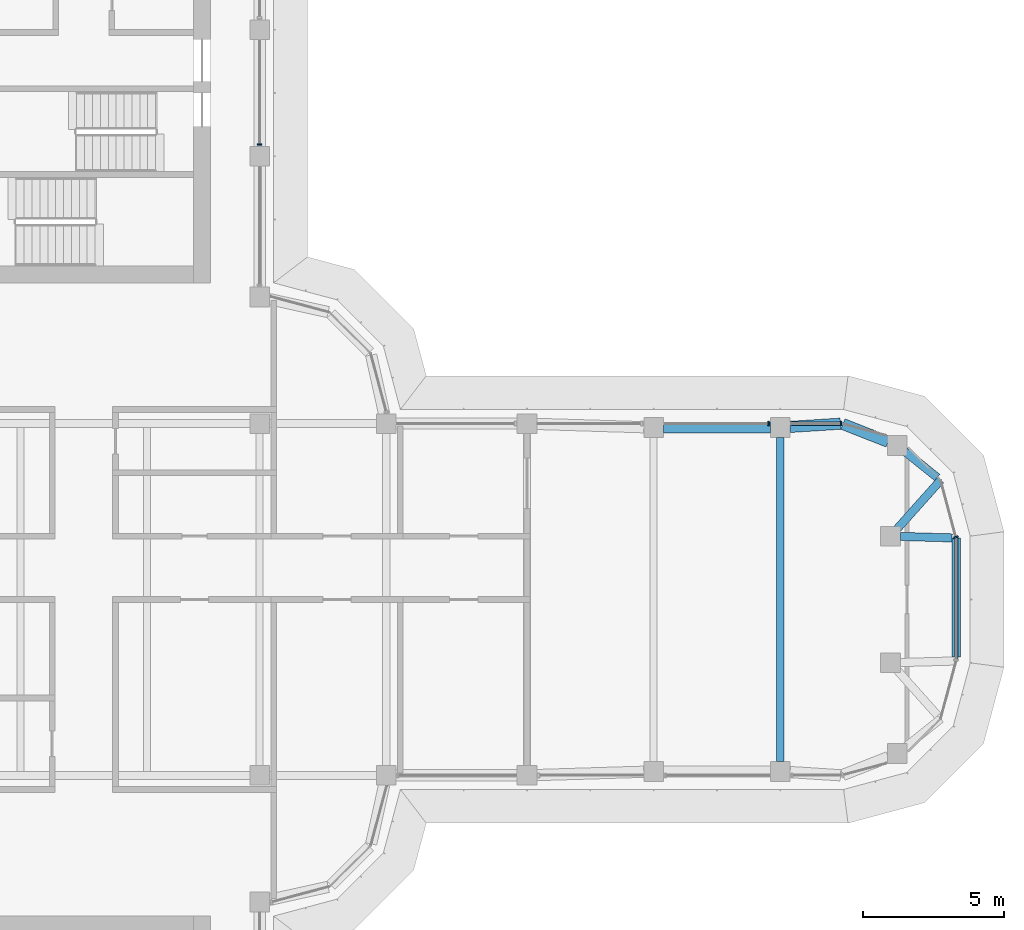
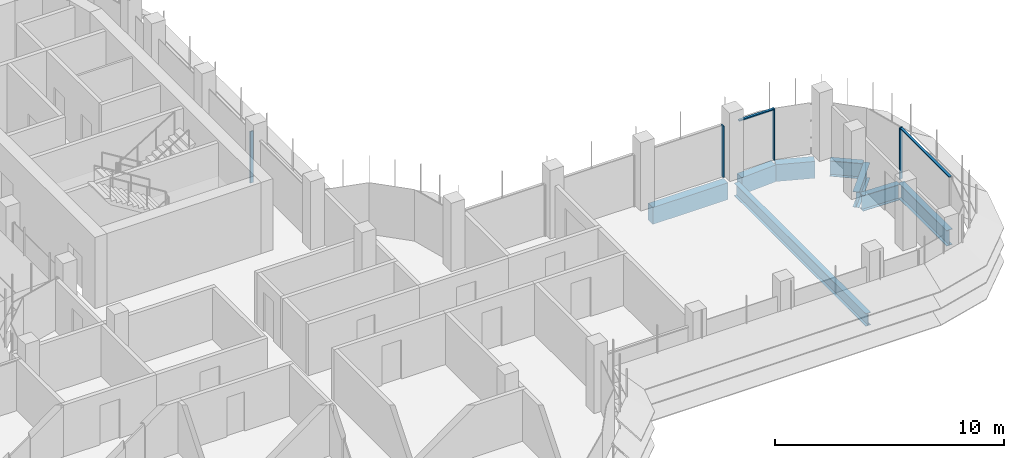
# One storey, part 9 of 18: 8 beams, 6 members, 4 elements without a shape of their own.
"""IFC4 building model written with IfcOpenShell, lengths in metres."""

import ifcopenshell
import ifcopenshell.guid

model = None  # the IFC model being written
_history = None  # IfcOwnerHistory: only IFC2X3 demands one
_inside = {}  # id of a spatial element -> (the spatial element, [elements in it])
_under = {}  # id of a project, library or spatial element -> (it, [spatial elements below it])
_declared = {}  # id of a project -> (the project, [libraries it declares])
_typed = {}  # id of a type object -> (the type object, [elements of that type])
_made_of = {}  # id of a material, layer set ... -> (it, [elements and type objects made of it])


def new_model(schema):
    """Start an empty IFC model of exactly this schema.

    Asked for "IFC4X3", IfcOpenShell would pick the latest addendum, in which some entities
    have other attributes; the version numbers below select the first issue.
    IFC2X3 requires an IfcOwnerHistory on every rooted entity: one is made here for all.
    """
    global model, _history
    if schema == "IFC4X3":
        model = ifcopenshell.file(schema_version=(4, 3, 0, 0))
    else:
        model = ifcopenshell.file(schema=schema)
    _inside.clear()
    _under.clear()
    _declared.clear()
    _typed.clear()
    _made_of.clear()
    _history = None
    if model.schema == "IFC2X3":
        org = make("IfcOrganization", Name="unknown")
        user = make(
            "IfcPersonAndOrganization",
            ThePerson=make("IfcPerson", FamilyName="unknown"),
            TheOrganization=org,
        )
        app = make(
            "IfcApplication",
            ApplicationDeveloper=org,
            Version="unknown",
            ApplicationFullName="unknown",
            ApplicationIdentifier="unknown",
        )
        _history = make(
            "IfcOwnerHistory",
            OwningUser=user,
            OwningApplication=app,
            ChangeAction="ADDED",
            CreationDate=0,
        )
    return model


def make(cls, **values):
    """One entity of the class cls with the attributes given. An attribute that is None is left unset."""
    return model.create_entity(
        cls, **{name: value for name, value in values.items() if value is not None}
    )


def rooted(cls, **values):
    """An entity with a GlobalId (a new one), such as an element, a storey or a relation."""
    return make(cls, GlobalId=ifcopenshell.guid.new(), OwnerHistory=_history, **values)


def si_unit(unit_type, name, prefix=None):
    """IfcSIUnit, for example si_unit("LENGTHUNIT", "METRE", prefix="MILLI")."""
    return make("IfcSIUnit", UnitType=unit_type, Prefix=prefix, Name=name)


def assignment(units):
    """IfcUnitAssignment: the units of a project."""
    return None if units is None else make("IfcUnitAssignment", Units=units)


def point(xyz):
    """IfcCartesianPoint."""
    return None if xyz is None else make("IfcCartesianPoint", Coordinates=xyz)


def direction(xyz):
    """IfcDirection."""
    return None if xyz is None else make("IfcDirection", DirectionRatios=xyz)


def frame(location, z_axis=None, x_axis=None):
    """IfcAxis2Placement3D, a coordinate frame: its origin and axes. An axis left out is left unset."""
    return make(
        "IfcAxis2Placement3D",
        Location=point(location),
        Axis=direction(z_axis),
        RefDirection=direction(x_axis),
    )


def frame_2d(location, x_axis=None):
    """IfcAxis2Placement2D, a coordinate frame in the plane: its origin and x axis."""
    return make(
        "IfcAxis2Placement2D", Location=point(location), RefDirection=direction(x_axis)
    )


def origin():
    """The frame at (0, 0, 0) with its axes left unset."""
    return frame((0.0, 0.0, 0.0))


def origin_2d():
    """The frame at (0, 0) in the plane with its x axis left unset."""
    return frame_2d((0.0, 0.0))


def place(relative_to, where):
    """IfcLocalPlacement: puts the frame where relative to a parent placement (None: the world)."""
    return make(
        "IfcLocalPlacement", PlacementRelTo=relative_to, RelativePlacement=where
    )


def context(
    kind, dimensions, precision=None, world=None, true_north=None, identifier=None
):
    """IfcGeometricRepresentationContext, for example the 3D "Model" context."""
    return make(
        "IfcGeometricRepresentationContext",
        ContextIdentifier=identifier,
        ContextType=kind,
        CoordinateSpaceDimension=dimensions,
        Precision=precision,
        WorldCoordinateSystem=world,
        TrueNorth=true_north,
    )


def subcontext(parent, identifier, kind, view, scale=None):
    """IfcGeometricRepresentationSubContext, for example "Body" below "Model"."""
    return make(
        "IfcGeometricRepresentationSubContext",
        ContextIdentifier=identifier,
        ContextType=kind,
        ParentContext=parent,
        TargetScale=scale,
        TargetView=view,
    )


def project(units=None, contexts=None):
    """IfcProject with its units and contexts."""
    return rooted(
        "IfcProject",
        Name="project",
        RepresentationContexts=contexts,
        UnitsInContext=assignment(units),
    )


def spatial(cls, under=None, at=None, **own):
    """A site, building, storey or space (cls), placed at a placement, below another one or the project."""
    s = rooted(cls, ObjectPlacement=at, **own)
    if under is not None:
        _under.setdefault(under.id(), (under, []))[1].append(s)
    return s


def polyline(points):
    """IfcPolyline through the points."""
    return make("IfcPolyline", Points=[point(p) for p in points])


def profile(cls, at=None, kind="AREA", **sizes):
    """A parametric profile (cls). Its sizes go by their IFC names, for example OverallWidth=200.0."""
    return make(cls, ProfileType=kind, Position=at, **sizes)


def rectangle(**sizes):
    """IfcRectangleProfileDef."""
    return profile("IfcRectangleProfileDef", **sizes)


def i_section(**sizes):
    """IfcIShapeProfileDef."""
    return profile("IfcIShapeProfileDef", **sizes)


def outline(outer, holes=None, kind="AREA"):
    """IfcArbitraryClosedProfileDef: a profile drawn as a closed curve; with holes, ...WithVoids."""
    if holes is None:
        return make("IfcArbitraryClosedProfileDef", ProfileType=kind, OuterCurve=outer)
    return make(
        "IfcArbitraryProfileDefWithVoids",
        ProfileType=kind,
        OuterCurve=outer,
        InnerCurves=holes,
    )


def extrude(swept, where, along, depth):
    """IfcExtrudedAreaSolid: the profile swept, set in the frame where, extruded along a direction by depth."""
    return make(
        "IfcExtrudedAreaSolid",
        SweptArea=swept,
        Position=where,
        ExtrudedDirection=direction(along),
        Depth=depth,
    )


def shape(context_of_items, identifier, shape_type, items):
    """IfcShapeRepresentation: the items that make up one representation, for example the "Body"."""
    return make(
        "IfcShapeRepresentation",
        ContextOfItems=context_of_items,
        RepresentationIdentifier=identifier,
        RepresentationType=shape_type,
        Items=items,
    )


def source(mapping_origin, context_of_items, identifier, shape_type, items):
    """IfcRepresentationMap: a shape defined once, which mapped items show again and again."""
    return make(
        "IfcRepresentationMap",
        MappingOrigin=mapping_origin,
        MappedRepresentation=shape(context_of_items, identifier, shape_type, items),
    )


def transform(
    local_origin,
    x_axis=None,
    y_axis=None,
    z_axis=None,
    scale=None,
    scale2=None,
    scale3=None,
    uniform=True,
):
    """IfcCartesianTransformationOperator3D, or its non-uniform kind. x_axis, y_axis, z_axis: its Axis1, 2, 3."""
    if uniform:
        return make(
            "IfcCartesianTransformationOperator3D",
            Axis1=direction(x_axis),
            Axis2=direction(y_axis),
            LocalOrigin=point(local_origin),
            Scale=scale,
            Axis3=direction(z_axis),
        )
    return make(
        "IfcCartesianTransformationOperator3DnonUniform",
        Axis1=direction(x_axis),
        Axis2=direction(y_axis),
        LocalOrigin=point(local_origin),
        Scale=scale,
        Axis3=direction(z_axis),
        Scale2=scale2,
        Scale3=scale3,
    )


def mapped(mapping_source, mapping_target):
    """IfcMappedItem: shows the shape of a source again, moved by a transform."""
    return make(
        "IfcMappedItem", MappingSource=mapping_source, MappingTarget=mapping_target
    )


def material(Name=None, Category=None):
    """IfcMaterial."""
    return make("IfcMaterial", Name=Name, Category=Category)


def material_profile(
    of_material, cross_section, Name=None, Category=None, Priority=None
):
    """IfcMaterialProfile: a cross section and its material."""
    return make(
        "IfcMaterialProfile",
        Name=Name,
        Material=of_material,
        Profile=cross_section,
        Priority=Priority,
        Category=Category,
    )


def profile_set(profiles, Name=None, composite=None):
    """IfcMaterialProfileSet."""
    return make(
        "IfcMaterialProfileSet",
        Name=Name,
        MaterialProfiles=profiles,
        CompositeProfile=composite,
    )


def made_of(thing, what):
    """Note that an element or type object is made of a material, layer set ...; save() writes the relation."""
    if what is not None:
        _made_of.setdefault(what.id(), (what, []))[1].append(thing)
    return thing


def type_object(cls, material=None, **own):
    """A type object (cls), such as IfcWallType, which elements share."""
    return made_of(rooted(cls, **own), material)


def element(
    cls,
    number,
    at=None,
    inside=None,
    cuts=None,
    type_object=None,
    material=None,
    context=None,
    identifier="Body",
    shape_type=None,
    held_by="IfcProductDefinitionShape",
    body=None,
    shapes=None,
    **own,
):
    """One element of the class cls, such as IfcWall. Its Tag is "e" and its number.

    at: its placement. inside: the storey or other place that contains it. cuts: it is an
    opening in that element (IfcRelVoidsElement). A single representation is given by context,
    identifier, shape_type and body (its items); several are given by shapes. held_by: the class
    of the entity that holds the representations. save() writes the other relations.
    """
    e = rooted(cls, Tag="e%d" % number, ObjectPlacement=at, **own)
    if body is not None:
        shapes = [shape(context, identifier, shape_type, body)]
    if shapes is not None:
        e.Representation = make(held_by, Representations=shapes)
    if inside is not None:
        _inside.setdefault(inside.id(), (inside, []))[1].append(e)
    if cuts is not None:
        rooted(
            "IfcRelVoidsElement", RelatingBuildingElement=cuts, RelatedOpeningElement=e
        )
    if type_object is not None:
        _typed.setdefault(type_object.id(), (type_object, []))[1].append(e)
    return made_of(e, material)


def aggregate(whole, parts):
    """IfcRelAggregates: a whole, such as a stair, and the parts it consists of."""
    return rooted("IfcRelAggregates", RelatingObject=whole, RelatedObjects=parts)


def save(model, path):
    """Write the relations noted so far, then the file.

    IfcRelAggregates (storeys below a building ...), IfcRelContainedInSpatialStructure (elements
    in a storey), IfcRelDefinesByType, IfcRelAssociatesMaterial and IfcRelDeclares: one each for
    every whole, place, type object, material and project.
    """
    for whole, parts in _under.values():
        aggregate(whole, parts)
    for where, things in _inside.values():
        rooted(
            "IfcRelContainedInSpatialStructure",
            RelatedElements=things,
            RelatingStructure=where,
        )
    for kind, things in _typed.values():
        rooted("IfcRelDefinesByType", RelatedObjects=things, RelatingType=kind)
    for what, things in _made_of.values():
        rooted("IfcRelAssociatesMaterial", RelatedObjects=things, RelatingMaterial=what)
    for by, libraries in _declared.values():
        rooted("IfcRelDeclares", RelatingContext=by, RelatedDefinitions=libraries)
    model.write(path)


model = new_model("IFC4")

# Units and contexts
model_context = context("Model", 3, precision=1e-05, world=origin(), true_north=direction((0.0, 1.0)))
body_context = subcontext(model_context, "Body", "Model", "MODEL_VIEW")
ifc_project = project(units=[si_unit("LENGTHUNIT", "METRE"), si_unit("AREAUNIT", "SQUARE_METRE"), si_unit("VOLUMEUNIT", "CUBIC_METRE"), si_unit("PLANEANGLEUNIT", "RADIAN"), si_unit("MASSUNIT", "GRAM", prefix="KILO")], contexts=[model_context])

# Site, building, storey
site_placement = place(None, origin())
site = spatial("IfcSite", under=ifc_project, at=site_placement, CompositionType="ELEMENT")
building_placement = place(site_placement, origin())
building = spatial("IfcBuilding", under=site, at=building_placement, Name="Zarbagh Exchange Tower", CompositionType="ELEMENT")
storey_placement = place(building_placement, frame((0.0, 0.0, 214.39990234375)))
storey = spatial("IfcBuildingStorey", under=building, at=storey_placement, Name="L52", CompositionType="ELEMENT", Elevation=214.39990234375)

# Beams
ifc_material_1 = material(Name="Steel ASTM A992 Gr 50", Category="steel")
ifc_material_profile_1 = material_profile(ifc_material_1, i_section(OverallWidth=0.25390625, OverallDepth=0.67822265625, WebThickness=0.01171875, FlangeThickness=0.016357421875, at=origin_2d()), Name="W27X84")
ifc_profile_set_1 = profile_set([ifc_material_profile_1], Name="Steel ASTM A992 Gr 50")
beam_type_1 = type_object("IfcBeamType", Name="Floor beam W27X84", PredefinedType="BEAM", material=ifc_profile_set_1)
beam_1_placement = place(storey_placement, frame((24.75, -5.760009765625, -0.489013671875), z_axis=(0.0, 1.0, 0.0), x_axis=(-1.0, 0.0, 0.0)))
element("IfcBeam", 1, at=beam_1_placement, inside=storey, type_object=beam_type_1, Name="Steel floor beam", PredefinedType="BEAM", context=body_context, shape_type="SweptSolid", body=[
    extrude(i_section(OverallWidth=0.25390625, OverallDepth=0.67822265625, WebThickness=0.01171875, FlangeThickness=0.016357421875, at=origin_2d()), origin(), (0.0, 0.0, 1.0), 11.52001953125),
])
ifc_material_profile_2 = material_profile(ifc_material_1, i_section(OverallWidth=0.2919921875, OverallDepth=0.835693359375, WebThickness=0.013916015625, FlangeThickness=0.018798828125, at=origin_2d()), Name="W33X118")
ifc_profile_set_2 = profile_set([ifc_material_profile_2], Name="Steel ASTM A992 Gr 50")
beam_type_2 = type_object("IfcBeamType", Name="Floor girder W33X118", PredefinedType="BEAM", material=ifc_profile_set_2)
beam_2_placement = place(storey_placement, frame((29.18115234375, 5.256103515625, -0.567626953125), z_axis=(0.780625690962, -0.624998824487, 0.0), x_axis=(0.624998824487, 0.780625690962, 0.0)))
element("IfcBeam", 2, at=beam_2_placement, inside=storey, type_object=beam_type_2, Name="Steel girder", PredefinedType="BEAM", context=body_context, shape_type="SweptSolid", body=[
    extrude(i_section(OverallWidth=0.2919921875, OverallDepth=0.835693359375, WebThickness=0.013916015625, FlangeThickness=0.018798828125, at=origin_2d()), origin(), (0.0, 0.0, 1.0), 1.469970703125),
])
beam_3_placement = place(storey_placement, frame((30.44873046875, 4.2412109375, -0.567626953125), z_axis=(-0.66615169279, -0.745816279115, 0.0), x_axis=(0.745816279115, -0.66615169279, 0.0)))
element("IfcBeam", 3, at=beam_3_placement, inside=storey, type_object=beam_type_2, Name="Steel girder", PredefinedType="BEAM", context=body_context, shape_type="SweptSolid", body=[
    extrude(i_section(OverallWidth=0.2919921875, OverallDepth=0.835693359375, WebThickness=0.013916015625, FlangeThickness=0.018798828125, at=origin_2d()), origin(), (0.0, 0.0, 1.0), 2.31982421875),
])
beam_4_placement = place(storey_placement, frame((29.02001953125, 2.239990234375, -0.567626953125), z_axis=(0.999603805015, -0.028146633904, 0.0), x_axis=(0.028146633904, 0.999603805015, 0.0)))
element("IfcBeam", 4, at=beam_4_placement, inside=storey, type_object=beam_type_2, Name="Steel girder", PredefinedType="BEAM", context=body_context, shape_type="SweptSolid", body=[
    extrude(i_section(OverallWidth=0.2919921875, OverallDepth=0.835693359375, WebThickness=0.013916015625, FlangeThickness=0.018798828125, at=origin_2d()), origin(), (0.0, 0.0, 1.0), 1.8388671875),
])
beam_5_placement = place(storey_placement, frame((31.0, 2.18408203125, -0.567626953125), z_axis=(0.0, -1.0, 0.0), x_axis=(1.0, 0.0, 0.0)))
element("IfcBeam", 5, at=beam_5_placement, inside=storey, type_object=beam_type_2, Name="Steel girder", PredefinedType="BEAM", context=body_context, shape_type="SweptSolid", body=[
    extrude(i_section(OverallWidth=0.2919921875, OverallDepth=0.835693359375, WebThickness=0.013916015625, FlangeThickness=0.018798828125, at=origin_2d()), origin(), (0.0, 0.0, 1.0), 4.226318359375),
])
ifc_material_2 = material(Name="Concrete C50/60", Category="concrete")
ifc_material_profile_3 = material_profile(ifc_material_2, rectangle(XDim=0.39990234375, YDim=0.89990234375, at=origin_2d()), Name="RC spandrel beam 400 x 900 C50/60")
ifc_profile_set_3 = profile_set([ifc_material_profile_3], Name="Concrete C50/60")
beam_type_3 = type_object("IfcBeamType", Name="RC spandrel beam 400 x 900 C50/60", PredefinedType="SPANDREL", material=ifc_profile_set_3)
beam_6_placement = place(storey_placement, frame((20.60009765625, 6.110107421875, -0.599853515625), z_axis=(1.0, 0.0, 0.0), x_axis=(0.0, 1.0, 0.0)))
element("IfcBeam", 6, at=beam_6_placement, inside=storey, type_object=beam_type_3, Name="RC spandrel beam", PredefinedType="SPANDREL", context=body_context, shape_type="SweptSolid", body=[
    extrude(rectangle(XDim=0.39990234375, YDim=0.89990234375, at=origin_2d()), origin(), (0.0, 0.0, 1.0), 3.7998046875),
])
beam_7_placement = place(storey_placement, frame((25.099365234375, 6.13232421875, -0.599853515625), z_axis=(0.997943601797, 0.064098109429, 0.0), x_axis=(-0.064098109429, 0.997943601797, 0.0)))
element("IfcBeam", 7, at=beam_7_placement, inside=storey, type_object=beam_type_3, Name="RC spandrel beam", PredefinedType="SPANDREL", context=body_context, shape_type="SweptSolid", body=[
    extrude(rectangle(XDim=0.39990234375, YDim=0.89990234375, at=origin_2d()), origin(), (0.0, 0.0, 1.0), 1.7939453125),
])
beam_8_placement = place(storey_placement, frame((26.9755859375, 6.233642578125, -0.599853515625), z_axis=(0.930818525178, -0.365481700207, 0.0), x_axis=(0.365481700207, 0.930818525178, 0.0)))
element("IfcBeam", 8, at=beam_8_placement, inside=storey, type_object=beam_type_3, Name="RC spandrel beam", PredefinedType="SPANDREL", context=body_context, shape_type="SweptSolid", body=[
    extrude(rectangle(XDim=0.39990234375, YDim=0.89990234375, at=origin_2d()), origin(), (0.0, 0.0, 1.0), 1.72607421875),
])

# Curtain wall, member
ifc_material_3 = material(Name="Anodised aluminium frame and glazing", Category="aluminium")
curtain_wall_type = type_object("IfcCurtainWallType", Name="CWB Ribbon glazing, upper zones", PredefinedType="NOTDEFINED", material=ifc_material_3)
curtain_wall_1_placement = place(storey_placement, origin())
curtain_wall_1 = element("IfcCurtainWall", 9, at=curtain_wall_1_placement, inside=storey, type_object=curtain_wall_type, Name="CWB13 curtain wall", PredefinedType="NOTDEFINED")
ifc_material_4 = material(Name="Anodised aluminium frame", Category="aluminium")
member_type_1 = type_object("IfcMemberType", Name="MUB Mullion, anodised aluminium frame", PredefinedType="MULLION", material=ifc_material_4)
shared_shape_1 = source(origin(), body_context, "Body", "SweptSolid", [
    extrude(outline(polyline([(0.0, -0.080078125), (0.06005859375, -0.080078125), (0.06005859375, 0.080078125), (0.0, 0.080078125), (0.0, -0.080078125)])), origin(), (0.0, 0.0, 1.0), 2.75),
])
placement = place(storey_placement, origin())
member_1 = element("IfcMember", 10, at=placement, type_object=member_type_1, Name="CWB13 mullion 1.1", PredefinedType="MULLION", context=body_context, shape_type="MappedRepresentation", body=[
    mapped(shared_shape_1, transform((31.0, 2.18408203125, 0.0), x_axis=(-0.258824779902, 0.965924289636, 0.0), y_axis=(-0.965924289636, -0.258824779902, 0.0), z_axis=(0.0, 0.0, 1.0))),
])
aggregate(curtain_wall_1, [member_1])

# Curtain wall, members
curtain_wall_2_placement = place(storey_placement, origin())
curtain_wall_2 = element("IfcCurtainWall", 11, at=curtain_wall_2_placement, inside=storey, type_object=curtain_wall_type, Name="CWB16 curtain wall", PredefinedType="NOTDEFINED")
member_2 = element("IfcMember", 12, at=placement, type_object=member_type_1, Name="CWB16 mullion 1.1", PredefinedType="MULLION", context=body_context, shape_type="MappedRepresentation", body=[
    mapped(shared_shape_1, transform((26.93408203125, 6.25, 0.0), x_axis=(-1.0, 0.0, 0.0), y_axis=(0.0, -1.0, 0.0), z_axis=(0.0, 0.0, 1.0))),
])
member_3 = element("IfcMember", 13, at=placement, type_object=member_type_1, Name="CWB16 mullion 2.1", PredefinedType="MULLION", context=body_context, shape_type="MappedRepresentation", body=[
    mapped(shared_shape_1, transform((24.35986328125, 6.25, 0.0), x_axis=(-1.0, 0.0, 0.0), y_axis=(0.0, -1.0, 0.0), z_axis=(0.0, 0.0, 1.0))),
])

# Curtain wall, member
curtain_wall_3_placement = place(storey_placement, origin())
curtain_wall_3 = element("IfcCurtainWall", 14, at=curtain_wall_3_placement, inside=storey, type_object=curtain_wall_type, Name="CWB20 curtain wall", PredefinedType="NOTDEFINED")
member_4 = element("IfcMember", 15, at=placement, type_object=member_type_1, Name="CWB20 mullion 2.1", PredefinedType="MULLION", context=body_context, shape_type="MappedRepresentation", body=[
    mapped(shared_shape_1, transform((6.25, 16.14013671875, 0.0), x_axis=(0.0, 1.0, 0.0), y_axis=(-1.0, 0.0, 0.0), z_axis=(0.0, 0.0, 1.0))),
])
aggregate(curtain_wall_3, [member_4])

# Member
member_type_2 = type_object("IfcMemberType", Name="TRB Transom, anodised aluminium frame", PredefinedType="USERDEFINED", material=ifc_material_4)
shared_shape_2 = source(origin(), body_context, "Body", "SweptSolid", [
    extrude(outline(polyline([(-0.06005859375, -0.06005859375), (0.0, -0.06005859375), (0.0, 0.06005859375), (-0.06005859375, 0.06005859375), (-0.06005859375, -0.06005859375)])), origin(), (0.0, 0.0, 1.0), 1.734130859375),
])
member_5 = element("IfcMember", 16, at=placement, type_object=member_type_2, Name="CWB16 transom 1.1", ObjectType="TRANSOM", PredefinedType="USERDEFINED", context=body_context, shape_type="MappedRepresentation", body=[
    mapped(shared_shape_2, transform((26.874267578125, 6.25, 2.75), x_axis=(0.0, 0.0, 1.0), y_axis=(0.0, 1.0, 0.0), z_axis=(-1.0, 0.0, 0.0))),
])

aggregate(curtain_wall_2, [member_2, member_5, member_3])

# Curtain wall, member
curtain_wall_4_placement = place(storey_placement, origin())
curtain_wall_4 = element("IfcCurtainWall", 17, at=curtain_wall_4_placement, inside=storey, type_object=curtain_wall_type, Name="CWB12 curtain wall", PredefinedType="NOTDEFINED")
shared_shape_3 = source(origin(), body_context, "Body", "SweptSolid", [
    extrude(outline(polyline([(-0.06005859375, -0.06005859375), (0.0, -0.06005859375), (0.0, 0.06005859375), (-0.06005859375, 0.06005859375), (-0.06005859375, -0.06005859375)])), origin(), (0.0, 0.0, 1.0), 4.308349609375),
])
member_6 = element("IfcMember", 18, at=placement, type_object=member_type_2, Name="CWB12 transom 1.1", ObjectType="TRANSOM", PredefinedType="USERDEFINED", context=body_context, shape_type="MappedRepresentation", body=[
    mapped(shared_shape_3, transform((31.0, -2.124267578125, 2.75), x_axis=(0.0, 0.0, 1.0), y_axis=(1.0, 0.0, 0.0), z_axis=(0.0, 1.0, 0.0))),
])
aggregate(curtain_wall_4, [member_6])

save(model, "model.ifc")
